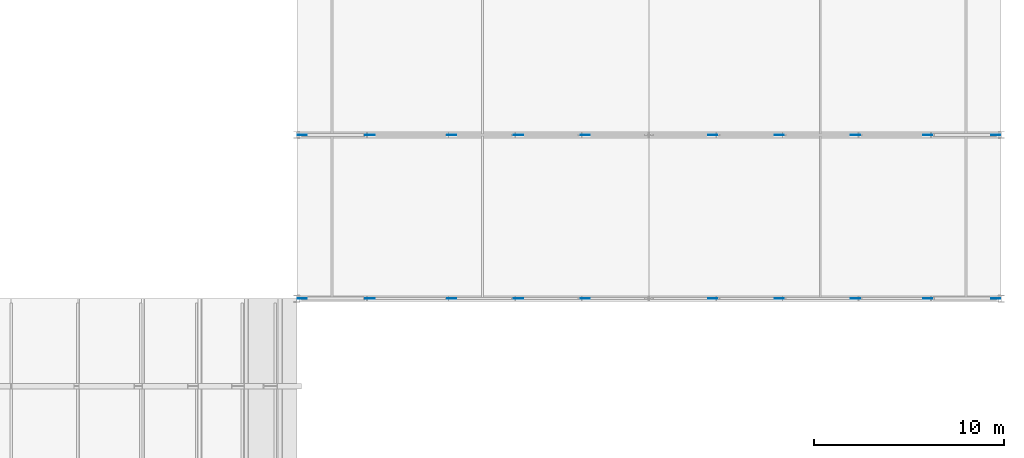
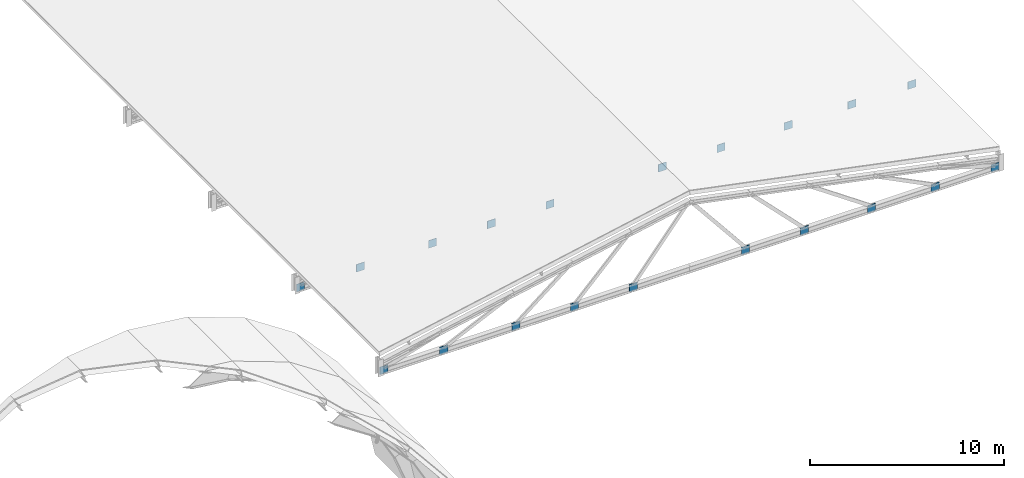
# One storey, part 35 of 47: 20 plates.
"""IFC4 building model written with IfcOpenShell, lengths in metres."""

import ifcopenshell
import ifcopenshell.guid

model = None  # the IFC model being written
_history = None  # IfcOwnerHistory: only IFC2X3 demands one
_inside = {}  # id of a spatial element -> (the spatial element, [elements in it])
_under = {}  # id of a project, library or spatial element -> (it, [spatial elements below it])
_declared = {}  # id of a project -> (the project, [libraries it declares])
_typed = {}  # id of a type object -> (the type object, [elements of that type])
_made_of = {}  # id of a material, layer set ... -> (it, [elements and type objects made of it])


def new_model(schema):
    """Start an empty IFC model of exactly this schema.

    Asked for "IFC4X3", IfcOpenShell would pick the latest addendum, in which some entities
    have other attributes; the version numbers below select the first issue.
    IFC2X3 requires an IfcOwnerHistory on every rooted entity: one is made here for all.
    """
    global model, _history
    if schema == "IFC4X3":
        model = ifcopenshell.file(schema_version=(4, 3, 0, 0))
    else:
        model = ifcopenshell.file(schema=schema)
    _inside.clear()
    _under.clear()
    _declared.clear()
    _typed.clear()
    _made_of.clear()
    _history = None
    if model.schema == "IFC2X3":
        org = make("IfcOrganization", Name="unknown")
        user = make(
            "IfcPersonAndOrganization",
            ThePerson=make("IfcPerson", FamilyName="unknown"),
            TheOrganization=org,
        )
        app = make(
            "IfcApplication",
            ApplicationDeveloper=org,
            Version="unknown",
            ApplicationFullName="unknown",
            ApplicationIdentifier="unknown",
        )
        _history = make(
            "IfcOwnerHistory",
            OwningUser=user,
            OwningApplication=app,
            ChangeAction="ADDED",
            CreationDate=0,
        )
    return model


def make(cls, **values):
    """One entity of the class cls with the attributes given. An attribute that is None is left unset."""
    return model.create_entity(
        cls, **{name: value for name, value in values.items() if value is not None}
    )


def rooted(cls, **values):
    """An entity with a GlobalId (a new one), such as an element, a storey or a relation."""
    return make(cls, GlobalId=ifcopenshell.guid.new(), OwnerHistory=_history, **values)


def si_unit(unit_type, name, prefix=None):
    """IfcSIUnit, for example si_unit("LENGTHUNIT", "METRE", prefix="MILLI")."""
    return make("IfcSIUnit", UnitType=unit_type, Prefix=prefix, Name=name)


def assignment(units):
    """IfcUnitAssignment: the units of a project."""
    return None if units is None else make("IfcUnitAssignment", Units=units)


def point(xyz):
    """IfcCartesianPoint."""
    return None if xyz is None else make("IfcCartesianPoint", Coordinates=xyz)


def direction(xyz):
    """IfcDirection."""
    return None if xyz is None else make("IfcDirection", DirectionRatios=xyz)


def frame(location, z_axis=None, x_axis=None):
    """IfcAxis2Placement3D, a coordinate frame: its origin and axes. An axis left out is left unset."""
    return make(
        "IfcAxis2Placement3D",
        Location=point(location),
        Axis=direction(z_axis),
        RefDirection=direction(x_axis),
    )


def frame_2d(location, x_axis=None):
    """IfcAxis2Placement2D, a coordinate frame in the plane: its origin and x axis."""
    return make(
        "IfcAxis2Placement2D", Location=point(location), RefDirection=direction(x_axis)
    )


def origin():
    """The frame at (0, 0, 0) with its axes left unset."""
    return frame((0.0, 0.0, 0.0))


def origin_2d():
    """The frame at (0, 0) in the plane with its x axis left unset."""
    return frame_2d((0.0, 0.0))


def place(relative_to, where):
    """IfcLocalPlacement: puts the frame where relative to a parent placement (None: the world)."""
    return make(
        "IfcLocalPlacement", PlacementRelTo=relative_to, RelativePlacement=where
    )


def context(
    kind, dimensions, precision=None, world=None, true_north=None, identifier=None
):
    """IfcGeometricRepresentationContext, for example the 3D "Model" context."""
    return make(
        "IfcGeometricRepresentationContext",
        ContextIdentifier=identifier,
        ContextType=kind,
        CoordinateSpaceDimension=dimensions,
        Precision=precision,
        WorldCoordinateSystem=world,
        TrueNorth=true_north,
    )


def subcontext(parent, identifier, kind, view, scale=None):
    """IfcGeometricRepresentationSubContext, for example "Body" below "Model"."""
    return make(
        "IfcGeometricRepresentationSubContext",
        ContextIdentifier=identifier,
        ContextType=kind,
        ParentContext=parent,
        TargetScale=scale,
        TargetView=view,
    )


def project(units=None, contexts=None):
    """IfcProject with its units and contexts."""
    return rooted(
        "IfcProject",
        Name="project",
        RepresentationContexts=contexts,
        UnitsInContext=assignment(units),
    )


def spatial(cls, under=None, at=None, **own):
    """A site, building, storey or space (cls), placed at a placement, below another one or the project."""
    s = rooted(cls, ObjectPlacement=at, **own)
    if under is not None:
        _under.setdefault(under.id(), (under, []))[1].append(s)
    return s


def profile(cls, at=None, kind="AREA", **sizes):
    """A parametric profile (cls). Its sizes go by their IFC names, for example OverallWidth=200.0."""
    return make(cls, ProfileType=kind, Position=at, **sizes)


def rectangle(**sizes):
    """IfcRectangleProfileDef."""
    return profile("IfcRectangleProfileDef", **sizes)


def extrude(swept, where, along, depth):
    """IfcExtrudedAreaSolid: the profile swept, set in the frame where, extruded along a direction by depth."""
    return make(
        "IfcExtrudedAreaSolid",
        SweptArea=swept,
        Position=where,
        ExtrudedDirection=direction(along),
        Depth=depth,
    )


def shape(context_of_items, identifier, shape_type, items):
    """IfcShapeRepresentation: the items that make up one representation, for example the "Body"."""
    return make(
        "IfcShapeRepresentation",
        ContextOfItems=context_of_items,
        RepresentationIdentifier=identifier,
        RepresentationType=shape_type,
        Items=items,
    )


def material(Name=None, Category=None):
    """IfcMaterial."""
    return make("IfcMaterial", Name=Name, Category=Category)


def layer(
    of_material, thickness, ventilated=None, Name=None, Category=None, Priority=None
):
    """IfcMaterialLayer: one layer of a wall or slab, of a material (None: an air gap)."""
    return make(
        "IfcMaterialLayer",
        Material=of_material,
        LayerThickness=thickness,
        IsVentilated=ventilated,
        Name=Name,
        Category=Category,
        Priority=Priority,
    )


def layer_set(layers, Name=None):
    """IfcMaterialLayerSet."""
    return make("IfcMaterialLayerSet", MaterialLayers=layers, LayerSetName=Name)


def made_of(thing, what):
    """Note that an element or type object is made of a material, layer set ...; save() writes the relation."""
    if what is not None:
        _made_of.setdefault(what.id(), (what, []))[1].append(thing)
    return thing


def type_object(cls, material=None, **own):
    """A type object (cls), such as IfcWallType, which elements share."""
    return made_of(rooted(cls, **own), material)


def element(
    cls,
    number,
    at=None,
    inside=None,
    cuts=None,
    type_object=None,
    material=None,
    context=None,
    identifier="Body",
    shape_type=None,
    held_by="IfcProductDefinitionShape",
    body=None,
    shapes=None,
    **own,
):
    """One element of the class cls, such as IfcWall. Its Tag is "e" and its number.

    at: its placement. inside: the storey or other place that contains it. cuts: it is an
    opening in that element (IfcRelVoidsElement). A single representation is given by context,
    identifier, shape_type and body (its items); several are given by shapes. held_by: the class
    of the entity that holds the representations. save() writes the other relations.
    """
    e = rooted(cls, Tag="e%d" % number, ObjectPlacement=at, **own)
    if body is not None:
        shapes = [shape(context, identifier, shape_type, body)]
    if shapes is not None:
        e.Representation = make(held_by, Representations=shapes)
    if inside is not None:
        _inside.setdefault(inside.id(), (inside, []))[1].append(e)
    if cuts is not None:
        rooted(
            "IfcRelVoidsElement", RelatingBuildingElement=cuts, RelatedOpeningElement=e
        )
    if type_object is not None:
        _typed.setdefault(type_object.id(), (type_object, []))[1].append(e)
    return made_of(e, material)


def aggregate(whole, parts):
    """IfcRelAggregates: a whole, such as a stair, and the parts it consists of."""
    return rooted("IfcRelAggregates", RelatingObject=whole, RelatedObjects=parts)


def save(model, path):
    """Write the relations noted so far, then the file.

    IfcRelAggregates (storeys below a building ...), IfcRelContainedInSpatialStructure (elements
    in a storey), IfcRelDefinesByType, IfcRelAssociatesMaterial and IfcRelDeclares: one each for
    every whole, place, type object, material and project.
    """
    for whole, parts in _under.values():
        aggregate(whole, parts)
    for where, things in _inside.values():
        rooted(
            "IfcRelContainedInSpatialStructure",
            RelatedElements=things,
            RelatingStructure=where,
        )
    for kind, things in _typed.values():
        rooted("IfcRelDefinesByType", RelatedObjects=things, RelatingType=kind)
    for what, things in _made_of.values():
        rooted("IfcRelAssociatesMaterial", RelatedObjects=things, RelatingMaterial=what)
    for by, libraries in _declared.values():
        rooted("IfcRelDeclares", RelatingContext=by, RelatedDefinitions=libraries)
    model.write(path)


model = new_model("IFC4")

# Units and contexts
model_context = context("Model", 3, precision=1e-05, world=origin(), true_north=direction((0.0, 1.0)))
body_context = subcontext(model_context, "Body", "Model", "MODEL_VIEW")
ifc_project = project(units=[si_unit("LENGTHUNIT", "METRE"), si_unit("AREAUNIT", "SQUARE_METRE"), si_unit("VOLUMEUNIT", "CUBIC_METRE"), si_unit("PLANEANGLEUNIT", "RADIAN"), si_unit("MASSUNIT", "GRAM", prefix="KILO")], contexts=[model_context])

# Site, building, storey
site_placement = place(None, origin())
site = spatial("IfcSite", under=ifc_project, at=site_placement, CompositionType="ELEMENT")
building_placement = place(site_placement, origin())
building = spatial("IfcBuilding", under=site, at=building_placement, Name="Muzn Square Opera House", CompositionType="ELEMENT")
storey_placement = place(building_placement, frame((0.0, 0.0, 31.0)))
storey = spatial("IfcBuildingStorey", under=building, at=storey_placement, Name="RF-1", CompositionType="ELEMENT", Elevation=31.0)

# Plates
ifc_material = material(Name="Steel S355", Category="steel")
ifc_layer = layer(ifc_material, 0.02392578125, Name="Steel S355", Category="steel")
ifc_layer_set = layer_set([ifc_layer], Name="Steel S355")
plate_type = type_object("IfcPlateType", Name="Rehearsal Gusset Plate 24mm 480x480", PredefinedType="USERDEFINED", material=ifc_layer_set)
for number, where, z_axis, x_axis, name in (
    (1, (133.280029296875, 72.60009765625, -7.619873046875), (0.0, 0.0, 1.0), (1.0, 0.0, 0.0), "Rehearsal Truss Gusset Plate T1-0"),
    (2, (136.85009765625, 72.60009765625, -7.619873046875), (0.0, 0.0, 1.0), (1.0, 0.0, 0.0), "Rehearsal Truss Gusset Plate T1-1"),
    (3, (141.14990234375, 72.60009765625, -7.619873046875), (0.0, 0.0, 1.0), (1.0, 0.0, 0.0), "Rehearsal Truss Gusset Plate T1-2"),
    (4, (144.64990234375, 72.60009765625, -7.619873046875), (0.0, 0.0, 1.0), (1.0, 0.0, 0.0), "Rehearsal Truss Gusset Plate T1-3"),
    (5, (148.14990234375, 72.60009765625, -7.619873046875), (0.0, 0.0, 1.0), (1.0, 0.0, 0.0), "Rehearsal Truss Gusset Plate T1-4"),
    (6, (154.85009765625, 72.60009765625, -7.619873046875), (0.0, 0.0, 1.0), (1.0, 0.0, 0.0), "Rehearsal Truss Gusset Plate T1-5"),
    (7, (158.35009765625, 72.60009765625, -7.619873046875), (0.0, 0.0, 1.0), (1.0, 0.0, 0.0), "Rehearsal Truss Gusset Plate T1-6"),
    (8, (162.35009765625, 72.60009765625, -7.619873046875), (0.0, 0.0, 1.0), (1.0, 0.0, 0.0), "Rehearsal Truss Gusset Plate T1-7"),
    (9, (166.14990234375, 72.60009765625, -7.619873046875), (0.0, 0.0, 1.0), (1.0, 0.0, 0.0), "Rehearsal Truss Gusset Plate T1-8"),
    (10, (169.719970703125, 72.60009765625, -7.619873046875), (0.0, 0.0, 1.0), (1.0, 0.0, 0.0), "Rehearsal Truss Gusset Plate T1-9"),
    (11, (133.280029296875, 81.199951171875, -7.619873046875), (0.0, 0.0, 1.0), (1.0, 0.0, 0.0), "Rehearsal Truss Gusset Plate T2-0"),
    (12, (136.85009765625, 81.199951171875, -7.619873046875), (0.0, 0.0, 1.0), (1.0, 0.0, 0.0), "Rehearsal Truss Gusset Plate T2-1"),
    (13, (141.14990234375, 81.199951171875, -7.619873046875), (0.0, 0.0, 1.0), (1.0, 0.0, 0.0), "Rehearsal Truss Gusset Plate T2-2"),
    (14, (144.64990234375, 81.199951171875, -7.619873046875), (0.0, 0.0, 1.0), (1.0, 0.0, 0.0), "Rehearsal Truss Gusset Plate T2-3"),
    (15, (148.14990234375, 81.199951171875, -7.619873046875), (0.0, 0.0, 1.0), (1.0, 0.0, 0.0), "Rehearsal Truss Gusset Plate T2-4"),
    (16, (154.85009765625, 81.199951171875, -7.619873046875), (0.0, 0.0, 1.0), (1.0, 0.0, 0.0), "Rehearsal Truss Gusset Plate T2-5"),
    (17, (158.35009765625, 81.199951171875, -7.619873046875), (0.0, 0.0, 1.0), (1.0, 0.0, 0.0), "Rehearsal Truss Gusset Plate T2-6"),
    (18, (162.35009765625, 81.199951171875, -7.619873046875), (0.0, 0.0, 1.0), (1.0, 0.0, 0.0), "Rehearsal Truss Gusset Plate T2-7"),
    (19, (166.14990234375, 81.199951171875, -7.619873046875), (0.0, 0.0, 1.0), (1.0, 0.0, 0.0), "Rehearsal Truss Gusset Plate T2-8"),
    (20, (169.719970703125, 81.199951171875, -7.619873046875), (0.0, 0.0, 1.0), (1.0, 0.0, 0.0), "Rehearsal Truss Gusset Plate T2-9"),
):
    element("IfcPlate", number, at=place(storey_placement, frame(where, z_axis=z_axis, x_axis=x_axis)), inside=storey, type_object=plate_type, Name=name, ObjectType="GUSSET PLATE", PredefinedType="USERDEFINED", context=body_context, shape_type="SweptSolid", body=[
        extrude(rectangle(XDim=0.47998046875, YDim=0.02392578125, at=origin_2d()), origin(), (0.0, 0.0, 1.0), 0.47998046875),
    ])

save(model, "model.ifc")
